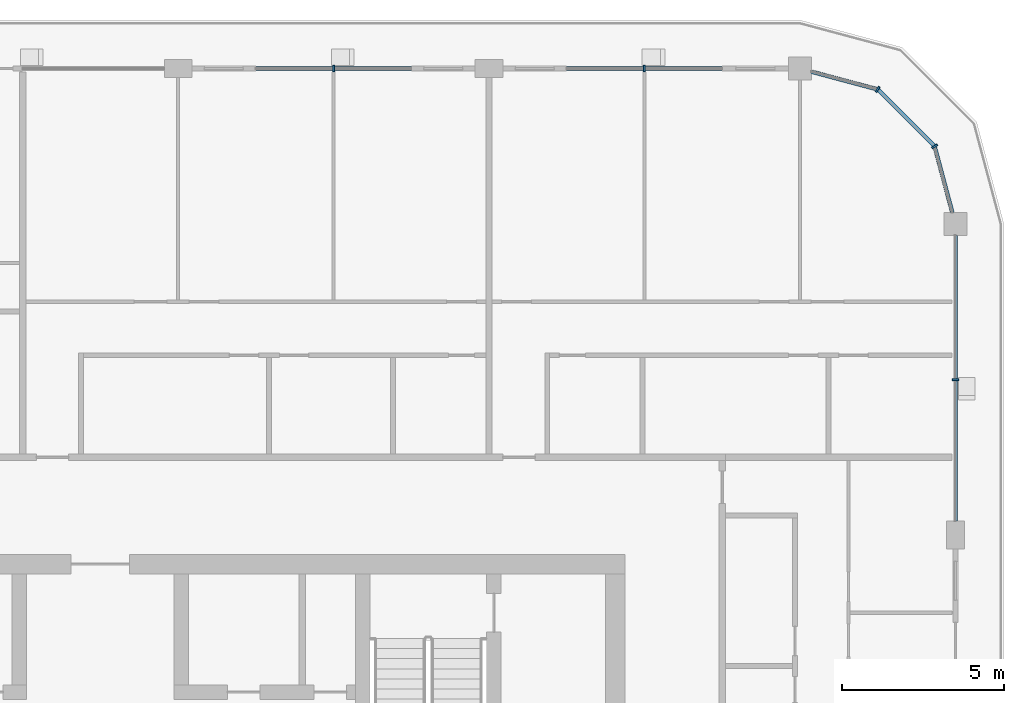
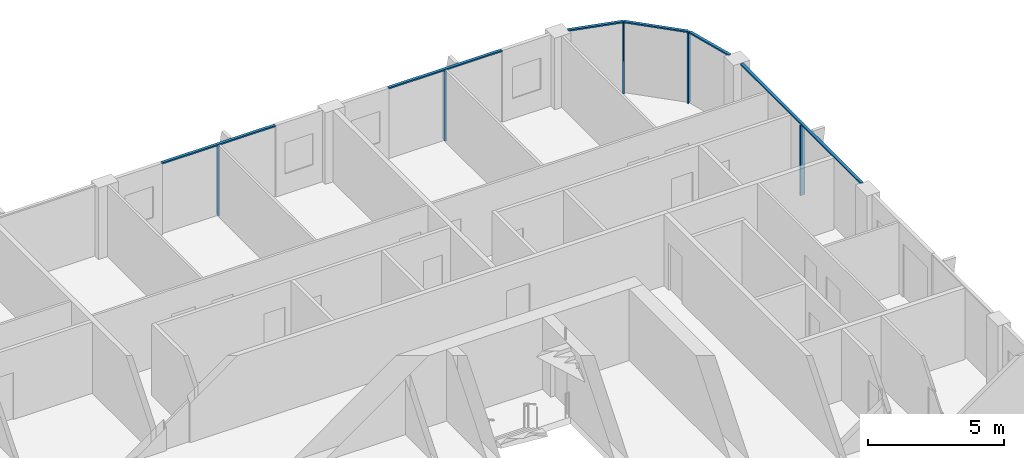
# One storey, part 6 of 22: 11 members, 4 elements without a shape of their own.
"""IFC4 building model written with IfcOpenShell, lengths in metres."""

from ifc_helpers import new_model, si_unit, direction, frame, origin, origin_2d, place, context, subcontext, project, spatial, rectangle, extrude, material, layer, layer_set, material_profile, profile_set, type_object, element, aggregate, save


model = new_model("IFC4")

# Units and contexts
model_context = context("Model", 3, precision=1e-05, world=origin(), true_north=direction((0.0, 1.0)))
body_context = subcontext(model_context, "Body", "Model", "MODEL_VIEW")
ifc_project = project(units=[si_unit("LENGTHUNIT", "METRE"), si_unit("AREAUNIT", "SQUARE_METRE"), si_unit("VOLUMEUNIT", "CUBIC_METRE"), si_unit("PLANEANGLEUNIT", "RADIAN"), si_unit("MASSUNIT", "GRAM", prefix="KILO")], contexts=[model_context])

# Site, building, storey
site_placement = place(None, origin())
site = spatial("IfcSite", under=ifc_project, at=site_placement, CompositionType="ELEMENT")
building_placement = place(site_placement, origin())
building = spatial("IfcBuilding", under=site, at=building_placement, Name="Madar Terraces", CompositionType="ELEMENT")
storey_placement = place(building_placement, frame((0.0, 0.0, 249.199951171875)))
storey = spatial("IfcBuildingStorey", under=building, at=storey_placement, Name="L65", CompositionType="ELEMENT", Elevation=249.199951171875)

# Curtain wall, member
ifc_material_1 = material(Name="Glass, ceramic frit dark grey, with black aluminium frame", Category="aluminium")
ifc_layer = layer(ifc_material_1, 0.199951171875)
ifc_layer_set = layer_set([ifc_layer], Name="Facade curtain wall, fritted glass")
curtain_wall_type = type_object("IfcCurtainWallType", Name="Facade curtain wall, fritted glass", PredefinedType="NOTDEFINED", material=ifc_layer_set)
curtain_wall_1_placement = place(storey_placement, origin())
curtain_wall_1 = element("IfcCurtainWall", 1, at=curtain_wall_1_placement, inside=storey, type_object=curtain_wall_type, Name="Outer skin curtain wall east bay 4", PredefinedType="NOTDEFINED")
ifc_material_2 = material(Name="Aluminium, black anodised", Category="aluminium")
ifc_material_profile_1 = material_profile(ifc_material_2, rectangle(XDim=0.199951171875, YDim=0.06005859375, at=origin_2d()), Name="Facade mullion 60x200")
ifc_profile_set_1 = profile_set([ifc_material_profile_1], Name="Aluminium, black anodised")
member_type_1 = type_object("IfcMemberType", Name="Facade mullion 60x200", PredefinedType="MULLION", material=ifc_profile_set_1)
member_1_placement = place(storey_placement, frame((57.60009765625, 43.199951171875, 0.0), z_axis=(0.0, 0.0, 1.0), x_axis=(-1.0, 0.0, 0.0)))
member_1 = element("IfcMember", 2, at=member_1_placement, type_object=member_type_1, Name="Mullion 1", PredefinedType="MULLION", context=body_context, shape_type="SweptSolid", body=[
    extrude(rectangle(XDim=0.199951171875, YDim=0.06005859375, at=origin_2d()), origin(), (0.0, 0.0, 1.0), 3.14013671875),
])

curtain_wall_2_placement = place(storey_placement, origin())
curtain_wall_2 = element("IfcCurtainWall", 3, at=curtain_wall_2_placement, inside=storey, type_object=curtain_wall_type, Name="Outer skin curtain wall north bay 1", PredefinedType="NOTDEFINED")
member_2_placement = place(storey_placement, frame((48.0, 52.800048828125, 0.0), z_axis=(0.0, 0.0, 1.0), x_axis=(0.0, -1.0, 0.0)))
member_2 = element("IfcMember", 4, at=member_2_placement, type_object=member_type_1, Name="Mullion 1", PredefinedType="MULLION", context=body_context, shape_type="SweptSolid", body=[
    extrude(rectangle(XDim=0.199951171875, YDim=0.06005859375, at=origin_2d()), origin(), (0.0, 0.0, 1.0), 3.14013671875),
])

curtain_wall_3_placement = place(storey_placement, origin())
curtain_wall_3 = element("IfcCurtainWall", 5, at=curtain_wall_3_placement, inside=storey, type_object=curtain_wall_type, Name="Outer skin curtain wall north bay 2", PredefinedType="NOTDEFINED")
member_3_placement = place(storey_placement, frame((38.39990234375, 52.800048828125, 0.0), z_axis=(0.0, 0.0, 1.0), x_axis=(0.0, -1.0, 0.0)))
member_3 = element("IfcMember", 6, at=member_3_placement, type_object=member_type_1, Name="Mullion 1", PredefinedType="MULLION", context=body_context, shape_type="SweptSolid", body=[
    extrude(rectangle(XDim=0.199951171875, YDim=0.06005859375, at=origin_2d()), origin(), (0.0, 0.0, 1.0), 3.14013671875),
])

# Curtain wall, members
curtain_wall_4_placement = place(storey_placement, origin())
curtain_wall_4 = element("IfcCurtainWall", 7, at=curtain_wall_4_placement, inside=storey, type_object=curtain_wall_type, Name="Outer skin curtain wall north-east corner", PredefinedType="NOTDEFINED")
member_4_placement = place(storey_placement, frame((56.95703125, 50.39990234375, 0.0), z_axis=(0.0, 0.0, 1.0), x_axis=(-0.866025409797, -0.499999989586, 0.0)))
member_4 = element("IfcMember", 8, at=member_4_placement, type_object=member_type_1, Name="Mullion 1", PredefinedType="MULLION", context=body_context, shape_type="SweptSolid", body=[
    extrude(rectangle(XDim=0.199951171875, YDim=0.06005859375, at=origin_2d()), origin(), (0.0, 0.0, 1.0), 3.14013671875),
])
member_5_placement = place(storey_placement, frame((55.199951171875, 52.156982421875, 0.0), z_axis=(0.0, 0.0, 1.0), x_axis=(-0.499999989586, -0.866025409797, 0.0)))
member_5 = element("IfcMember", 9, at=member_5_placement, type_object=member_type_1, Name="Mullion 2", PredefinedType="MULLION", context=body_context, shape_type="SweptSolid", body=[
    extrude(rectangle(XDim=0.199951171875, YDim=0.06005859375, at=origin_2d()), origin(), (0.0, 0.0, 1.0), 3.14013671875),
])

# Member
ifc_material_3 = material(Name="Aluminium, black anodised", Category="aluminium")
ifc_material_profile_2 = material_profile(ifc_material_3, rectangle(XDim=0.1201171875, YDim=0.06005859375, at=origin_2d()), Name="Facade transom 60x120")
ifc_profile_set_2 = profile_set([ifc_material_profile_2], Name="Aluminium, black anodised")
member_type_2 = type_object("IfcMemberType", Name="Facade transom 60x120", PredefinedType="USERDEFINED", material=ifc_profile_set_2)
member_6_placement = place(storey_placement, frame((57.60009765625, 38.824951171875, 3.170166015625), z_axis=(0.0, 1.0, 0.0), x_axis=(-1.0, 0.0, 0.0)))
member_6 = element("IfcMember", 10, at=member_6_placement, type_object=member_type_2, Name="Transom 1", ObjectType="TRANSOM", PredefinedType="USERDEFINED", context=body_context, shape_type="SweptSolid", body=[
    extrude(rectangle(XDim=0.1201171875, YDim=0.06005859375, at=origin_2d()), origin(), (0.0, 0.0, 1.0), 8.824951171875),
])

aggregate(curtain_wall_1, [member_1, member_6])

member_7_placement = place(storey_placement, frame((50.39990234375, 52.800048828125, 3.170166015625), z_axis=(-1.0, 0.0, 0.0), x_axis=(0.0, -1.0, 0.0)))
member_7 = element("IfcMember", 11, at=member_7_placement, type_object=member_type_2, Name="Transom 1", ObjectType="TRANSOM", PredefinedType="USERDEFINED", context=body_context, shape_type="SweptSolid", body=[
    extrude(rectangle(XDim=0.1201171875, YDim=0.06005859375, at=origin_2d()), origin(), (0.0, 0.0, 1.0), 4.7998046875),
])

aggregate(curtain_wall_2, [member_2, member_7])

member_8_placement = place(storey_placement, frame((40.800048828125, 52.800048828125, 3.170166015625), z_axis=(-1.0, 0.0, 0.0), x_axis=(0.0, -1.0, 0.0)))
member_8 = element("IfcMember", 12, at=member_8_placement, type_object=member_type_2, Name="Transom 1", ObjectType="TRANSOM", PredefinedType="USERDEFINED", context=body_context, shape_type="SweptSolid", body=[
    extrude(rectangle(XDim=0.1201171875, YDim=0.06005859375, at=origin_2d()), origin(), (0.0, 0.0, 1.0), 4.800048828125),
])

aggregate(curtain_wall_3, [member_3, member_8])

member_9_placement = place(storey_placement, frame((57.506103515625, 48.35009765625, 3.170166015625), z_axis=(-0.258809963731, 0.965928259589, 0.0), x_axis=(-0.965928259589, -0.258809963731, 0.0)))
member_9 = element("IfcMember", 13, at=member_9_placement, type_object=member_type_2, Name="Transom 1", ObjectType="TRANSOM", PredefinedType="USERDEFINED", context=body_context, shape_type="SweptSolid", body=[
    extrude(rectangle(XDim=0.1201171875, YDim=0.06005859375, at=origin_2d()), origin(), (0.0, 0.0, 1.0), 2.09228515625),
])

member_10_placement = place(storey_placement, frame((56.935791015625, 50.421142578125, 3.170166015625), z_axis=(-0.707106781187, 0.707106781187, 0.0), x_axis=(-0.707106781187, -0.707106781187, 0.0)))
member_10 = element("IfcMember", 14, at=member_10_placement, type_object=member_type_2, Name="Transom 2", ObjectType="TRANSOM", PredefinedType="USERDEFINED", context=body_context, shape_type="SweptSolid", body=[
    extrude(rectangle(XDim=0.1201171875, YDim=0.06005859375, at=origin_2d()), origin(), (0.0, 0.0, 1.0), 2.4248046875),
])

member_11_placement = place(storey_placement, frame((55.171142578125, 52.164794921875, 3.170166015625), z_axis=(-0.965936074212, 0.258780796304, 0.0), x_axis=(-0.258780796304, -0.965936074212, 0.0)))
member_11 = element("IfcMember", 15, at=member_11_placement, type_object=member_type_2, Name="Transom 3", ObjectType="TRANSOM", PredefinedType="USERDEFINED", context=body_context, shape_type="SweptSolid", body=[
    extrude(rectangle(XDim=0.1201171875, YDim=0.06005859375, at=origin_2d()), origin(), (0.0, 0.0, 1.0), 2.092529296875),
])

aggregate(curtain_wall_4, [member_4, member_9, member_5, member_10, member_11])

save(model, "model.ifc")
